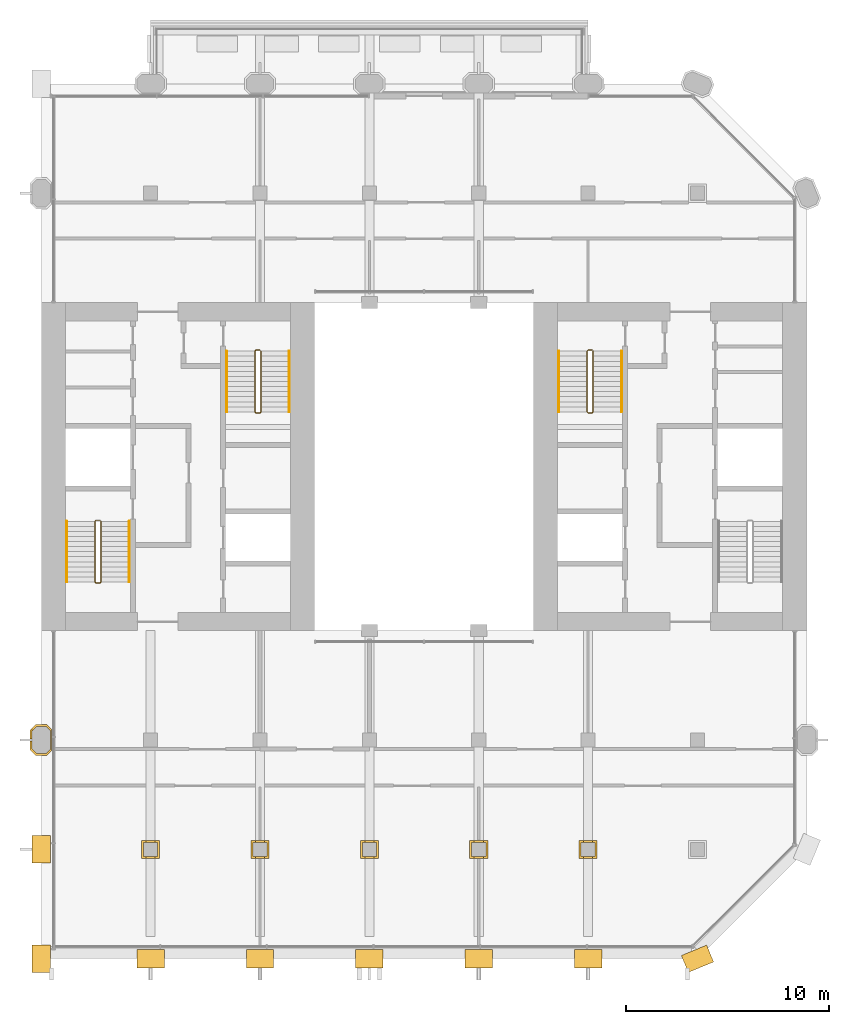
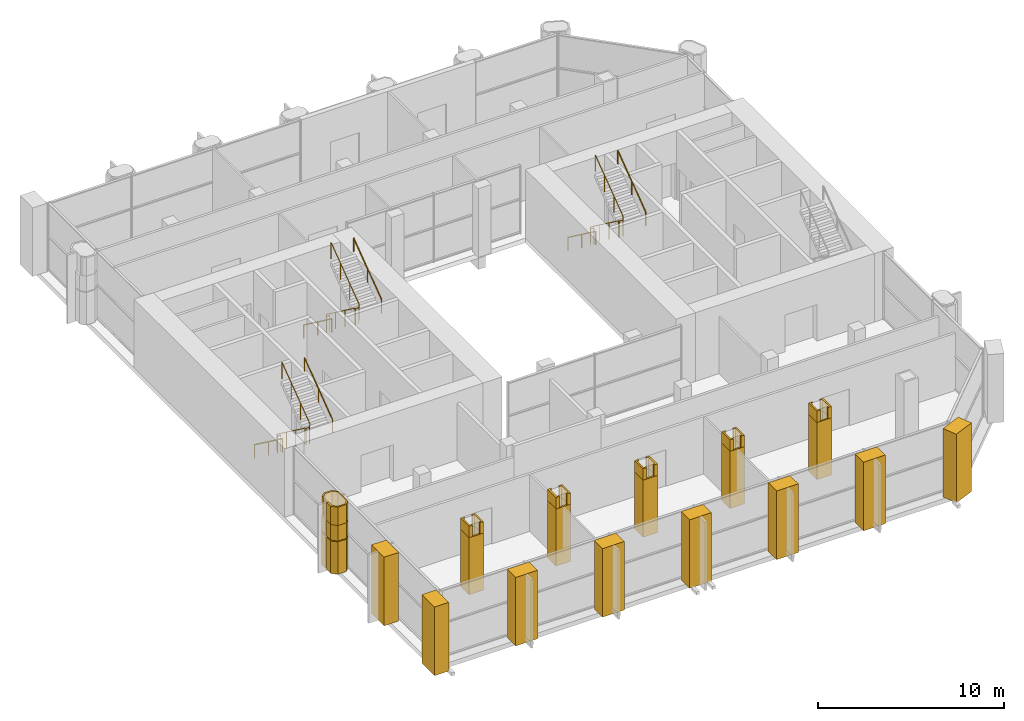
# One storey, part 11 of 13: 26 coverings, 9 railings.
"""IFC4 building model written with IfcOpenShell, lengths in metres."""

from ifc_helpers import new_model, si_unit, direction, frame, frame_2d, origin, origin_2d, place, context, subcontext, project, spatial, polyline, rectangle, circle, outline, extrude, material, layer, layer_set, type_object, element, save


model = new_model("IFC4")

# Units and contexts
model_context = context("Model", 3, precision=1e-05, world=origin(), true_north=direction((0.0, 1.0)))
body_context = subcontext(model_context, "Body", "Model", "MODEL_VIEW")
ifc_project = project(units=[si_unit("LENGTHUNIT", "METRE"), si_unit("AREAUNIT", "SQUARE_METRE"), si_unit("VOLUMEUNIT", "CUBIC_METRE"), si_unit("PLANEANGLEUNIT", "RADIAN"), si_unit("MASSUNIT", "GRAM", prefix="KILO")], contexts=[model_context])

# Site, building, storey
site_placement = place(None, origin())
site = spatial("IfcSite", under=ifc_project, at=site_placement, CompositionType="ELEMENT")
building_placement = place(site_placement, origin())
building = spatial("IfcBuilding", under=site, at=building_placement, Name="Tabaq Tower and Sports Hall", CompositionType="ELEMENT")
storey_placement = place(building_placement, frame((0.0, 0.0, 255.699951171875)))
storey = spatial("IfcBuildingStorey", under=building, at=storey_placement, Name="L62", CompositionType="ELEMENT", Elevation=255.699951171875)

# Coverings
ifc_material_1 = material(Name="Precast concrete C60/75", Category="concrete")
ifc_layer = layer(ifc_material_1, 0.10009765625)
ifc_layer_set = layer_set([ifc_layer], Name="Column cladding 100")
covering_type_1 = type_object("IfcCoveringType", Name="Column cladding 100", PredefinedType="CLADDING", material=ifc_layer_set)
covering_1_placement = place(storey_placement, frame((0.0, 0.0, 0.10009765625)))
element("IfcCovering", 1, at=covering_1_placement, inside=storey, type_object=covering_type_1, Name="Column cladding L62 PC-2C-S2", PredefinedType="CLADDING", context=body_context, shape_type="SweptSolid", body=[
    extrude(outline(polyline([(5.1337890625, 10.025390625), (4.850341796875, 10.30859375), (4.850341796875, 10.73974609375), (4.94970703125, 10.73974609375), (4.94970703125, 10.349853515625), (5.1748046875, 10.124755859375), (5.625244140625, 10.124755859375), (5.850341796875, 10.349853515625), (5.850341796875, 11.250244140625), (5.625244140625, 11.475341796875), (5.1748046875, 11.475341796875), (4.94970703125, 11.250244140625), (4.94970703125, 10.8603515625), (4.850341796875, 10.8603515625), (4.850341796875, 11.291259765625), (5.1337890625, 11.57470703125), (5.666259765625, 11.57470703125), (5.90966796875, 11.331298828125), (5.90966796875, 10.268798828125), (5.666259765625, 10.025390625), (5.1337890625, 10.025390625)])), origin(), (0.0, 0.0, 1.0), 2.119873046875),
])
covering_2_placement = place(storey_placement, frame((0.0, 0.0, 2.280029296875)))
element("IfcCovering", 2, at=covering_2_placement, inside=storey, type_object=covering_type_1, Name="Column cladding L62 PC-2C-S2 2", PredefinedType="CLADDING", context=body_context, shape_type="SweptSolid", body=[
    extrude(outline(polyline([(5.1337890625, 10.025390625), (4.850341796875, 10.30859375), (4.850341796875, 10.73974609375), (4.94970703125, 10.73974609375), (4.94970703125, 10.349853515625), (5.1748046875, 10.124755859375), (5.625244140625, 10.124755859375), (5.850341796875, 10.349853515625), (5.850341796875, 11.250244140625), (5.625244140625, 11.475341796875), (5.1748046875, 11.475341796875), (4.94970703125, 11.250244140625), (4.94970703125, 10.8603515625), (4.850341796875, 10.8603515625), (4.850341796875, 11.291259765625), (5.1337890625, 11.57470703125), (5.666259765625, 11.57470703125), (5.90966796875, 11.331298828125), (5.90966796875, 10.268798828125), (5.666259765625, 10.025390625), (5.1337890625, 10.025390625)])), origin(), (0.0, 0.0, 1.0), 1.02001953125),
])
covering_3_placement = place(storey_placement, frame((0.0, 0.0, 3.300048828125)))
element("IfcCovering", 3, at=covering_3_placement, inside=storey, type_object=covering_type_1, Name="Column cladding L62 PC-2C-S2 head", PredefinedType="CLADDING", context=body_context, shape_type="SweptSolid", body=[
    extrude(outline(polyline([(4.850341796875, 10.30859375), (4.850341796875, 10.73974609375), (4.94970703125, 10.73974609375), (4.94970703125, 10.349853515625), (5.1748046875, 10.124755859375), (5.625244140625, 10.124755859375), (5.850341796875, 10.349853515625), (5.850341796875, 11.250244140625), (5.625244140625, 11.475341796875), (5.1748046875, 11.475341796875), (4.9501953125, 11.250732421875), (4.9501953125, 11.391357421875), (5.1337890625, 11.57470703125), (5.666259765625, 11.57470703125), (5.90966796875, 11.331298828125), (5.90966796875, 10.268798828125), (5.666259765625, 10.025390625), (5.1337890625, 10.025390625), (4.850341796875, 10.30859375)])), origin(), (0.0, 0.0, 1.0), 1.199951171875),
])
covering_4_placement = place(storey_placement, origin())
element("IfcCovering", 4, at=covering_4_placement, inside=storey, type_object=covering_type_1, Name="Column cladding L62 CC-3B-S2", PredefinedType="CLADDING", context=body_context, shape_type="SweptSolid", body=[
    extrude(outline(polyline([(10.350341796875, 5.849609375), (11.249755859375, 5.849609375), (11.249755859375, 4.9501953125), (10.350341796875, 4.9501953125), (10.350341796875, 5.849609375)]), holes=[polyline([(11.150390625, 5.0498046875), (11.150390625, 5.750244140625), (10.44970703125, 5.750244140625), (10.44970703125, 5.0498046875), (11.150390625, 5.0498046875)])]), origin(), (0.0, 0.0, 1.0), 3.75),
])
covering_5_placement = place(storey_placement, frame((0.0, 0.0, 3.75)))
element("IfcCovering", 5, at=covering_5_placement, inside=storey, type_object=covering_type_1, Name="Column cladding L62 CC-3B-S2 head", PredefinedType="CLADDING", context=body_context, shape_type="SweptSolid", body=[
    extrude(outline(polyline([(10.574462890625, 5.04931640625), (10.574462890625, 4.95068359375), (10.3505859375, 4.95068359375), (10.3505859375, 5.849365234375), (10.574462890625, 5.849365234375), (10.574462890625, 5.75048828125), (10.449462890625, 5.75048828125), (10.449462890625, 5.04931640625), (10.574462890625, 5.04931640625)])), origin(), (0.0, 0.0, 1.0), 0.75),
])
covering_6_placement = place(storey_placement, frame((0.0, 0.0, 3.75)))
element("IfcCovering", 6, at=covering_6_placement, inside=storey, type_object=covering_type_1, Name="Column cladding L62 CC-3B-S2 head 2", PredefinedType="CLADDING", context=body_context, shape_type="SweptSolid", body=[
    extrude(outline(polyline([(11.025634765625, 5.04931640625), (11.150634765625, 5.04931640625), (11.150634765625, 5.75048828125), (11.025634765625, 5.75048828125), (11.025634765625, 5.849365234375), (11.24951171875, 5.849365234375), (11.24951171875, 4.95068359375), (11.025634765625, 4.95068359375), (11.025634765625, 5.04931640625)])), origin(), (0.0, 0.0, 1.0), 0.75),
])
covering_7_placement = place(storey_placement, origin())
element("IfcCovering", 7, at=covering_7_placement, inside=storey, type_object=covering_type_1, Name="Column cladding L62 CC-4B-S2", PredefinedType="CLADDING", context=body_context, shape_type="SweptSolid", body=[
    extrude(outline(polyline([(15.750244140625, 5.849609375), (16.649658203125, 5.849609375), (16.649658203125, 4.9501953125), (15.750244140625, 4.9501953125), (15.750244140625, 5.849609375)]), holes=[polyline([(16.55029296875, 5.0498046875), (16.55029296875, 5.750244140625), (15.849609375, 5.750244140625), (15.849609375, 5.0498046875), (16.55029296875, 5.0498046875)])]), origin(), (0.0, 0.0, 1.0), 3.75),
])
covering_8_placement = place(storey_placement, frame((0.0, 0.0, 3.75)))
element("IfcCovering", 8, at=covering_8_placement, inside=storey, type_object=covering_type_1, Name="Column cladding L62 CC-4B-S2 head", PredefinedType="CLADDING", context=body_context, shape_type="SweptSolid", body=[
    extrude(outline(polyline([(16.425537109375, 5.04931640625), (16.550537109375, 5.04931640625), (16.550537109375, 5.75048828125), (16.425537109375, 5.75048828125), (16.425537109375, 5.849365234375), (16.6494140625, 5.849365234375), (16.6494140625, 4.95068359375), (16.425537109375, 4.95068359375), (16.425537109375, 5.04931640625)])), origin(), (0.0, 0.0, 1.0), 0.75),
])
covering_9_placement = place(storey_placement, frame((0.0, 0.0, 3.75)))
element("IfcCovering", 9, at=covering_9_placement, inside=storey, type_object=covering_type_1, Name="Column cladding L62 CC-4B-S2 head 2", PredefinedType="CLADDING", context=body_context, shape_type="SweptSolid", body=[
    extrude(outline(polyline([(15.974365234375, 5.04931640625), (15.974365234375, 4.95068359375), (15.75048828125, 4.95068359375), (15.75048828125, 5.849365234375), (15.974365234375, 5.849365234375), (15.974365234375, 5.75048828125), (15.849365234375, 5.75048828125), (15.849365234375, 5.04931640625), (15.974365234375, 5.04931640625)])), origin(), (0.0, 0.0, 1.0), 0.75),
])
covering_10_placement = place(storey_placement, origin())
element("IfcCovering", 10, at=covering_10_placement, inside=storey, type_object=covering_type_1, Name="Column cladding L62 CC-5B-S2", PredefinedType="CLADDING", context=body_context, shape_type="SweptSolid", body=[
    extrude(outline(polyline([(21.150390625, 5.849609375), (22.0498046875, 5.849609375), (22.0498046875, 4.9501953125), (21.150390625, 4.9501953125), (21.150390625, 5.849609375)]), holes=[polyline([(21.9501953125, 5.0498046875), (21.9501953125, 5.750244140625), (21.249755859375, 5.750244140625), (21.249755859375, 5.0498046875), (21.9501953125, 5.0498046875)])]), origin(), (0.0, 0.0, 1.0), 3.75),
])
covering_11_placement = place(storey_placement, frame((0.0, 0.0, 3.75)))
element("IfcCovering", 11, at=covering_11_placement, inside=storey, type_object=covering_type_1, Name="Column cladding L62 CC-5B-S2 head", PredefinedType="CLADDING", context=body_context, shape_type="SweptSolid", body=[
    extrude(outline(polyline([(21.37451171875, 5.04931640625), (21.37451171875, 4.95068359375), (21.150634765625, 4.95068359375), (21.150634765625, 5.849365234375), (21.37451171875, 5.849365234375), (21.37451171875, 5.75048828125), (21.24951171875, 5.75048828125), (21.24951171875, 5.04931640625), (21.37451171875, 5.04931640625)])), origin(), (0.0, 0.0, 1.0), 0.75),
])
covering_12_placement = place(storey_placement, frame((0.0, 0.0, 3.75)))
element("IfcCovering", 12, at=covering_12_placement, inside=storey, type_object=covering_type_1, Name="Column cladding L62 CC-5B-S2 head 2", PredefinedType="CLADDING", context=body_context, shape_type="SweptSolid", body=[
    extrude(outline(polyline([(21.82568359375, 5.04931640625), (21.95068359375, 5.04931640625), (21.95068359375, 5.75048828125), (21.82568359375, 5.75048828125), (21.82568359375, 5.849365234375), (22.04931640625, 5.849365234375), (22.04931640625, 4.95068359375), (21.82568359375, 4.95068359375), (21.82568359375, 5.04931640625)])), origin(), (0.0, 0.0, 1.0), 0.75),
])
covering_13_placement = place(storey_placement, origin())
element("IfcCovering", 13, at=covering_13_placement, inside=storey, type_object=covering_type_1, Name="Column cladding L62 CC-6B-S2", PredefinedType="CLADDING", context=body_context, shape_type="SweptSolid", body=[
    extrude(outline(polyline([(26.55029296875, 5.849609375), (27.44970703125, 5.849609375), (27.44970703125, 4.9501953125), (26.55029296875, 4.9501953125), (26.55029296875, 5.849609375)]), holes=[polyline([(27.350341796875, 5.0498046875), (27.350341796875, 5.750244140625), (26.649658203125, 5.750244140625), (26.649658203125, 5.0498046875), (27.350341796875, 5.0498046875)])]), origin(), (0.0, 0.0, 1.0), 3.75),
])
covering_14_placement = place(storey_placement, frame((0.0, 0.0, 3.75)))
element("IfcCovering", 14, at=covering_14_placement, inside=storey, type_object=covering_type_1, Name="Column cladding L62 CC-6B-S2 head", PredefinedType="CLADDING", context=body_context, shape_type="SweptSolid", body=[
    extrude(outline(polyline([(26.7744140625, 5.04931640625), (26.7744140625, 4.95068359375), (26.550537109375, 4.95068359375), (26.550537109375, 5.849365234375), (26.7744140625, 5.849365234375), (26.7744140625, 5.75048828125), (26.6494140625, 5.75048828125), (26.6494140625, 5.04931640625), (26.7744140625, 5.04931640625)])), origin(), (0.0, 0.0, 1.0), 0.75),
])
covering_15_placement = place(storey_placement, frame((0.0, 0.0, 3.75)))
element("IfcCovering", 15, at=covering_15_placement, inside=storey, type_object=covering_type_1, Name="Column cladding L62 CC-6B-S2 head 2", PredefinedType="CLADDING", context=body_context, shape_type="SweptSolid", body=[
    extrude(outline(polyline([(27.2255859375, 5.04931640625), (27.3505859375, 5.04931640625), (27.3505859375, 5.75048828125), (27.2255859375, 5.75048828125), (27.2255859375, 5.849365234375), (27.449462890625, 5.849365234375), (27.449462890625, 4.95068359375), (27.2255859375, 4.95068359375), (27.2255859375, 5.04931640625)])), origin(), (0.0, 0.0, 1.0), 0.75),
])
covering_16_placement = place(storey_placement, origin())
element("IfcCovering", 16, at=covering_16_placement, inside=storey, type_object=covering_type_1, Name="Column cladding L62 CC-7B-S2", PredefinedType="CLADDING", context=body_context, shape_type="SweptSolid", body=[
    extrude(outline(polyline([(31.9501953125, 5.849609375), (32.849609375, 5.849609375), (32.849609375, 4.9501953125), (31.9501953125, 4.9501953125), (31.9501953125, 5.849609375)]), holes=[polyline([(32.750244140625, 5.0498046875), (32.750244140625, 5.750244140625), (32.0498046875, 5.750244140625), (32.0498046875, 5.0498046875), (32.750244140625, 5.0498046875)])]), origin(), (0.0, 0.0, 1.0), 3.75),
])
covering_17_placement = place(storey_placement, frame((0.0, 0.0, 3.75)))
element("IfcCovering", 17, at=covering_17_placement, inside=storey, type_object=covering_type_1, Name="Column cladding L62 CC-7B-S2 head", PredefinedType="CLADDING", context=body_context, shape_type="SweptSolid", body=[
    extrude(outline(polyline([(32.62548828125, 5.04931640625), (32.75048828125, 5.04931640625), (32.75048828125, 5.75048828125), (32.62548828125, 5.75048828125), (32.62548828125, 5.849365234375), (32.849365234375, 5.849365234375), (32.849365234375, 4.95068359375), (32.62548828125, 4.95068359375), (32.62548828125, 5.04931640625)])), origin(), (0.0, 0.0, 1.0), 0.75),
])
covering_18_placement = place(storey_placement, frame((0.0, 0.0, 3.75)))
element("IfcCovering", 18, at=covering_18_placement, inside=storey, type_object=covering_type_1, Name="Column cladding L62 CC-7B-S2 head 2", PredefinedType="CLADDING", context=body_context, shape_type="SweptSolid", body=[
    extrude(outline(polyline([(32.17431640625, 5.04931640625), (32.17431640625, 4.95068359375), (31.95068359375, 4.95068359375), (31.95068359375, 5.849365234375), (32.17431640625, 5.849365234375), (32.17431640625, 5.75048828125), (32.04931640625, 5.75048828125), (32.04931640625, 5.04931640625), (32.17431640625, 5.04931640625)])), origin(), (0.0, 0.0, 1.0), 0.75),
])
ifc_material_2 = material(Name="White precast concrete C60/75", Category="concrete")
covering_type_2 = type_object("IfcCoveringType", Name="Pier cladding hung 1350x900", PredefinedType="CLADDING", material=ifc_material_2)
covering_19_placement = place(storey_placement, frame((5.39990234375, 0.675048828125, 0.0), z_axis=(0.0, 0.0, 1.0), x_axis=(0.0, -1.0, 0.0)))
element("IfcCovering", 19, at=covering_19_placement, inside=storey, type_object=covering_type_2, Name="Hung pier cladding 1/0", PredefinedType="CLADDING", context=body_context, shape_type="SweptSolid", body=[
    extrude(rectangle(XDim=1.35009765625, YDim=0.89990234375, at=frame_2d((0.675048828125, 0.0))), origin(), (0.0, 0.0, 1.0), 4.5),
])
covering_20_placement = place(storey_placement, frame((5.39990234375, 6.074951171875, 0.0), z_axis=(0.0, 0.0, 1.0), x_axis=(0.0, -1.0, 0.0)))
element("IfcCovering", 20, at=covering_20_placement, inside=storey, type_object=covering_type_2, Name="Hung pier cladding 1/1", PredefinedType="CLADDING", context=body_context, shape_type="SweptSolid", body=[
    extrude(rectangle(XDim=1.349853515625, YDim=0.89990234375, at=frame_2d((0.6748046875, 0.0))), origin(), (0.0, 0.0, 1.0), 4.5),
])
for number, where, z_axis, x_axis, name in (
    (21, (10.125, 0.0, 0.0), (0.0, 0.0, 1.0), (1.0, 0.0, 0.0), "Hung pier cladding 2/0"),
    (22, (15.52490234375, 0.0, 0.0), (0.0, 0.0, 1.0), (1.0, 0.0, 0.0), "Hung pier cladding 3/0"),
):
    element("IfcCovering", number, at=place(storey_placement, frame(where, z_axis=z_axis, x_axis=x_axis)), inside=storey, type_object=covering_type_2, Name=name, PredefinedType="CLADDING", context=body_context, shape_type="SweptSolid", body=[
        extrude(rectangle(XDim=1.35009765625, YDim=0.89990234375, at=frame_2d((0.675048828125, 0.0))), origin(), (0.0, 0.0, 1.0), 4.5),
    ])
covering_21_placement = place(storey_placement, frame((20.925048828125, 0.0, 0.0), z_axis=(0.0, 0.0, 1.0), x_axis=(1.0, 0.0, 0.0)))
element("IfcCovering", 23, at=covering_21_placement, inside=storey, type_object=covering_type_2, Name="Hung pier cladding 4/0", PredefinedType="CLADDING", context=body_context, shape_type="SweptSolid", body=[
    extrude(rectangle(XDim=1.349853515625, YDim=0.89990234375, at=frame_2d((0.6748046875, 0.0))), origin(), (0.0, 0.0, 1.0), 4.5),
])
covering_22_placement = place(storey_placement, frame((26.324951171875, 0.0, 0.0), z_axis=(0.0, 0.0, 1.0), x_axis=(1.0, 0.0, 0.0)))
element("IfcCovering", 24, at=covering_22_placement, inside=storey, type_object=covering_type_2, Name="Hung pier cladding 5/0", PredefinedType="CLADDING", context=body_context, shape_type="SweptSolid", body=[
    extrude(rectangle(XDim=1.35009765625, YDim=0.89990234375, at=frame_2d((0.675048828125, 0.0))), origin(), (0.0, 0.0, 1.0), 4.5),
])
covering_23_placement = place(storey_placement, frame((31.72509765625, 0.0, 0.0), z_axis=(0.0, 0.0, 1.0), x_axis=(1.0, 0.0, 0.0)))
element("IfcCovering", 25, at=covering_23_placement, inside=storey, type_object=covering_type_2, Name="Hung pier cladding 6/0", PredefinedType="CLADDING", context=body_context, shape_type="SweptSolid", body=[
    extrude(rectangle(XDim=1.349853515625, YDim=0.89990234375, at=frame_2d((0.6748046875, 0.0))), origin(), (0.0, 0.0, 1.0), 4.5),
])
covering_24_placement = place(storey_placement, frame((37.17626953125, -0.25830078125, 0.0), z_axis=(0.0, 0.0, 1.0), x_axis=(0.923893411637, 0.382649923473, 0.0)))
element("IfcCovering", 26, at=covering_24_placement, inside=storey, type_object=covering_type_2, Name="Hung pier cladding 7/0", PredefinedType="CLADDING", context=body_context, shape_type="SweptSolid", body=[
    extrude(rectangle(XDim=1.35009765625, YDim=0.89990234375, at=frame_2d((0.675048828125, 0.0))), origin(), (0.0, 0.0, 1.0), 4.5),
])

# Railings
ifc_material_3 = material(Name="Stainless steel", Category="steel")
railing_type_1 = type_object("IfcRailingType", Name="Stair guard", PredefinedType="GUARDRAIL", material=ifc_material_3)
railing_1_placement = place(storey_placement, frame((8.300048828125, 21.64990234375, 0.0)))
element("IfcRailing", 27, at=railing_1_placement, inside=storey, type_object=railing_type_1, Name="L62 ST1 stair guard 1", PredefinedType="GUARDRAIL", context=body_context, shape_type="SweptSolid", body=[
    extrude(circle(Radius=0.02392578125, at=origin_2d()), frame((0.0, 0.0, 1.076171875), z_axis=(-1.0, 0.0, 0.0), x_axis=(0.0, -1.0, 0.0)), (0.0, 0.0, 1.0), 0.199951171875),
    extrude(circle(Radius=0.02392578125, at=origin_2d()), frame((-0.199951171875, 0.0, 1.076171875), z_axis=(-0.253264628505, -0.252029191293, 0.933990532438), x_axis=(0.705375805398, -0.708833529934, 0.0)), (0.0, 0.0, 1.0), 0.197509765625),
    extrude(circle(Radius=0.02392578125, at=origin_2d()), frame((-0.25, -0.0498046875, 1.2607421875), z_axis=(0.0, -0.804408721428, 0.594076265214), x_axis=(1.0, 0.0, 0.0)), (0.0, 0.0, 1.0), 3.7294921875),
    extrude(circle(Radius=0.02392578125, at=origin_2d()), frame((-0.25, -3.0498046875, 3.47607421875), z_axis=(0.707106781187, -0.707106781187, 0.0), x_axis=(0.707106781187, 0.707106781187, 0.0)), (0.0, 0.0, 1.0), 0.07080078125),
    extrude(circle(Radius=0.02392578125, at=origin_2d()), frame((-0.199951171875, -3.099853515625, 3.47607421875), z_axis=(1.0, 0.0, 0.0), x_axis=(0.0, 1.0, 0.0)), (0.0, 0.0, 1.0), 0.199951171875),
    extrude(circle(Radius=0.02392578125, at=origin_2d()), frame((0.0, -3.099853515625, 3.47607421875), z_axis=(0.253185614162, 0.253185614162, 0.933699142959), x_axis=(-0.707106781187, 0.707106781187, 0.0)), (0.0, 0.0, 1.0), 0.19775390625),
    extrude(circle(Radius=0.02392578125, at=origin_2d()), frame((0.050048828125, -3.0498046875, 3.66064453125), z_axis=(0.0, 0.804440004972, 0.594033903411), x_axis=(-1.0, 0.0, 0.0)), (0.0, 0.0, 1.0), 3.729248046875),
    extrude(circle(Radius=0.02099609375, at=origin_2d()), origin(), (0.0, 0.0, 1.0), 1.052001953125),
    extrude(circle(Radius=0.02099609375, at=origin_2d()), frame((-0.199951171875, 0.0, 0.0)), (0.0, 0.0, 1.0), 1.052001953125),
    extrude(circle(Radius=0.02099609375, at=origin_2d()), frame((-0.25, -0.0498046875, 0.1845703125)), (0.0, 0.0, 1.0), 1.052001953125),
    extrude(circle(Radius=0.02099609375, at=origin_2d()), frame((-0.25, -1.0498046875, 0.923095703125)), (0.0, 0.0, 1.0), 1.052001953125),
    extrude(circle(Radius=0.02099609375, at=origin_2d()), frame((-0.25, -2.0498046875, 1.66162109375)), (0.0, 0.0, 1.0), 1.052001953125),
    extrude(circle(Radius=0.02099609375, at=origin_2d()), frame((-0.25, -3.0498046875, 2.400146484375)), (0.0, 0.0, 1.0), 1.052001953125),
    extrude(circle(Radius=0.02099609375, at=origin_2d()), frame((-0.199951171875, -3.099853515625, 2.400146484375)), (0.0, 0.0, 1.0), 1.052001953125),
    extrude(circle(Radius=0.02099609375, at=origin_2d()), frame((0.0, -3.099853515625, 2.400146484375)), (0.0, 0.0, 1.0), 1.052001953125),
    extrude(circle(Radius=0.02099609375, at=origin_2d()), frame((0.050048828125, -3.0498046875, 2.584716796875)), (0.0, 0.0, 1.0), 1.052001953125),
    extrude(circle(Radius=0.02099609375, at=origin_2d()), frame((0.050048828125, -2.0498046875, 3.3232421875)), (0.0, 0.0, 1.0), 1.052001953125),
    extrude(circle(Radius=0.02099609375, at=origin_2d()), frame((0.050048828125, -1.0498046875, 4.0615234375)), (0.0, 0.0, 1.0), 1.052001953125),
    extrude(circle(Radius=0.02099609375, at=origin_2d()), frame((0.050048828125, -0.0498046875, 4.800048828125)), (0.0, 0.0, 1.0), 1.052001953125),
])
railing_2_placement = place(storey_placement, frame((16.199951171875, 30.050048828125, 0.0)))
element("IfcRailing", 28, at=railing_2_placement, inside=storey, type_object=railing_type_1, Name="L62 ST2 stair guard 1", PredefinedType="GUARDRAIL", context=body_context, shape_type="SweptSolid", body=[
    extrude(circle(Radius=0.02392578125, at=origin_2d()), frame((0.0, 0.0, 1.076171875), z_axis=(-1.0, 0.0, 0.0), x_axis=(0.0, -1.0, 0.0)), (0.0, 0.0, 1.0), 0.199951171875),
    extrude(circle(Radius=0.02392578125, at=origin_2d()), frame((-0.199951171875, 0.0, 1.076171875), z_axis=(-0.253185614162, -0.253185614162, 0.933699142959), x_axis=(0.707106781187, -0.707106781187, 0.0)), (0.0, 0.0, 1.0), 0.19775390625),
    extrude(circle(Radius=0.02392578125, at=origin_2d()), frame((-0.25, -0.050048828125, 1.2607421875), z_axis=(0.0, -0.804408721428, 0.594076265214), x_axis=(1.0, 0.0, 0.0)), (0.0, 0.0, 1.0), 3.7294921875),
    extrude(circle(Radius=0.02392578125, at=origin_2d()), frame((-0.25, -3.050048828125, 3.47607421875), z_axis=(0.707106781187, -0.707106781187, 0.0), x_axis=(0.707106781187, 0.707106781187, 0.0)), (0.0, 0.0, 1.0), 0.07080078125),
    extrude(circle(Radius=0.02392578125, at=origin_2d()), frame((-0.199951171875, -3.10009765625, 3.47607421875), z_axis=(1.0, 0.0, 0.0), x_axis=(0.0, 1.0, 0.0)), (0.0, 0.0, 1.0), 0.199951171875),
    extrude(circle(Radius=0.02392578125, at=origin_2d()), frame((0.0, -3.10009765625, 3.47607421875), z_axis=(0.253185614162, 0.253185614162, 0.933699142959), x_axis=(-0.707106781187, 0.707106781187, 0.0)), (0.0, 0.0, 1.0), 0.19775390625),
    extrude(circle(Radius=0.02392578125, at=origin_2d()), frame((0.050048828125, -3.050048828125, 3.66064453125), z_axis=(0.0, 0.804440004972, 0.594033903411), x_axis=(-1.0, 0.0, 0.0)), (0.0, 0.0, 1.0), 3.729248046875),
    extrude(circle(Radius=0.02099609375, at=origin_2d()), origin(), (0.0, 0.0, 1.0), 1.052001953125),
    extrude(circle(Radius=0.02099609375, at=origin_2d()), frame((-0.199951171875, 0.0, 0.0)), (0.0, 0.0, 1.0), 1.052001953125),
    extrude(circle(Radius=0.02099609375, at=origin_2d()), frame((-0.25, -0.050048828125, 0.1845703125)), (0.0, 0.0, 1.0), 1.052001953125),
    extrude(circle(Radius=0.02099609375, at=origin_2d()), frame((-0.25, -1.050048828125, 0.923095703125)), (0.0, 0.0, 1.0), 1.052001953125),
    extrude(circle(Radius=0.02099609375, at=origin_2d()), frame((-0.25, -2.050048828125, 1.66162109375)), (0.0, 0.0, 1.0), 1.052001953125),
    extrude(circle(Radius=0.02099609375, at=origin_2d()), frame((-0.25, -3.050048828125, 2.400146484375)), (0.0, 0.0, 1.0), 1.052001953125),
    extrude(circle(Radius=0.02099609375, at=origin_2d()), frame((-0.199951171875, -3.10009765625, 2.400146484375)), (0.0, 0.0, 1.0), 1.052001953125),
    extrude(circle(Radius=0.02099609375, at=origin_2d()), frame((0.0, -3.10009765625, 2.400146484375)), (0.0, 0.0, 1.0), 1.052001953125),
    extrude(circle(Radius=0.02099609375, at=origin_2d()), frame((0.050048828125, -3.050048828125, 2.584716796875)), (0.0, 0.0, 1.0), 1.052001953125),
    extrude(circle(Radius=0.02099609375, at=origin_2d()), frame((0.050048828125, -2.050048828125, 3.3232421875)), (0.0, 0.0, 1.0), 1.052001953125),
    extrude(circle(Radius=0.02099609375, at=origin_2d()), frame((0.050048828125, -1.050048828125, 4.0615234375)), (0.0, 0.0, 1.0), 1.052001953125),
    extrude(circle(Radius=0.02099609375, at=origin_2d()), frame((0.050048828125, -0.050048828125, 4.800048828125)), (0.0, 0.0, 1.0), 1.052001953125),
])
railing_3_placement = place(storey_placement, frame((32.60009765625, 30.050048828125, 0.0)))
element("IfcRailing", 29, at=railing_3_placement, inside=storey, type_object=railing_type_1, Name="L62 ST4 stair guard 1", PredefinedType="GUARDRAIL", context=body_context, shape_type="SweptSolid", body=[
    extrude(circle(Radius=0.02392578125, at=origin_2d()), frame((0.0, 0.0, 1.076171875), z_axis=(-1.0, 0.0, 0.0), x_axis=(0.0, -1.0, 0.0)), (0.0, 0.0, 1.0), 0.2001953125),
    extrude(circle(Radius=0.02392578125, at=origin_2d()), frame((-0.2001953125, 0.0, 1.076171875), z_axis=(-0.252029191293, -0.253264628505, 0.933990532438), x_axis=(0.708833529934, -0.705375805398, 0.0)), (0.0, 0.0, 1.0), 0.197509765625),
    extrude(circle(Radius=0.02392578125, at=origin_2d()), frame((-0.25, -0.050048828125, 1.2607421875), z_axis=(0.0, -0.804408721428, 0.594076265214), x_axis=(1.0, 0.0, 0.0)), (0.0, 0.0, 1.0), 3.7294921875),
    extrude(circle(Radius=0.02392578125, at=origin_2d()), frame((-0.25, -3.050048828125, 3.47607421875), z_axis=(0.705375805398, -0.708833529934, 0.0), x_axis=(0.708833529934, 0.705375805398, 0.0)), (0.0, 0.0, 1.0), 0.070556640625),
    extrude(circle(Radius=0.02392578125, at=origin_2d()), frame((-0.2001953125, -3.10009765625, 3.47607421875), z_axis=(1.0, 0.0, 0.0), x_axis=(0.0, 1.0, 0.0)), (0.0, 0.0, 1.0), 0.2001953125),
    extrude(circle(Radius=0.02392578125, at=origin_2d()), frame((0.0, -3.10009765625, 3.47607421875), z_axis=(0.252029191293, 0.253264628505, 0.933990532438), x_axis=(-0.708833529934, 0.705375805398, 0.0)), (0.0, 0.0, 1.0), 0.197509765625),
    extrude(circle(Radius=0.02392578125, at=origin_2d()), frame((0.0498046875, -3.050048828125, 3.66064453125), z_axis=(0.0, 0.804440004972, 0.594033903411), x_axis=(-1.0, 0.0, 0.0)), (0.0, 0.0, 1.0), 3.729248046875),
    extrude(circle(Radius=0.02099609375, at=origin_2d()), origin(), (0.0, 0.0, 1.0), 1.052001953125),
    extrude(circle(Radius=0.02099609375, at=origin_2d()), frame((-0.2001953125, 0.0, 0.0)), (0.0, 0.0, 1.0), 1.052001953125),
    extrude(circle(Radius=0.02099609375, at=origin_2d()), frame((-0.25, -0.050048828125, 0.1845703125)), (0.0, 0.0, 1.0), 1.052001953125),
    extrude(circle(Radius=0.02099609375, at=origin_2d()), frame((-0.25, -1.050048828125, 0.923095703125)), (0.0, 0.0, 1.0), 1.052001953125),
    extrude(circle(Radius=0.02099609375, at=origin_2d()), frame((-0.25, -2.050048828125, 1.66162109375)), (0.0, 0.0, 1.0), 1.052001953125),
    extrude(circle(Radius=0.02099609375, at=origin_2d()), frame((-0.25, -3.050048828125, 2.400146484375)), (0.0, 0.0, 1.0), 1.052001953125),
    extrude(circle(Radius=0.02099609375, at=origin_2d()), frame((-0.2001953125, -3.10009765625, 2.400146484375)), (0.0, 0.0, 1.0), 1.052001953125),
    extrude(circle(Radius=0.02099609375, at=origin_2d()), frame((0.0, -3.10009765625, 2.400146484375)), (0.0, 0.0, 1.0), 1.052001953125),
    extrude(circle(Radius=0.02099609375, at=origin_2d()), frame((0.0498046875, -3.050048828125, 2.584716796875)), (0.0, 0.0, 1.0), 1.052001953125),
    extrude(circle(Radius=0.02099609375, at=origin_2d()), frame((0.0498046875, -2.050048828125, 3.3232421875)), (0.0, 0.0, 1.0), 1.052001953125),
    extrude(circle(Radius=0.02099609375, at=origin_2d()), frame((0.0498046875, -1.050048828125, 4.0615234375)), (0.0, 0.0, 1.0), 1.052001953125),
    extrude(circle(Radius=0.02099609375, at=origin_2d()), frame((0.0498046875, -0.050048828125, 4.800048828125)), (0.0, 0.0, 1.0), 1.052001953125),
])
ifc_material_4 = material(Name="Stainless steel", Category="steel")
railing_type_2 = type_object("IfcRailingType", Name="Stair handrail", PredefinedType="HANDRAIL", material=ifc_material_4)
railing_4_placement = place(storey_placement, frame((6.64990234375, 21.60009765625, 0.1845703125)))
element("IfcRailing", 30, at=railing_4_placement, inside=storey, type_object=railing_type_2, Name="L62 ST1 stair handrail 1", PredefinedType="HANDRAIL", context=body_context, shape_type="SweptSolid", body=[
    extrude(circle(Radius=0.02392578125, at=origin_2d()), frame((0.0, 0.0, 0.8759765625), z_axis=(0.0, -0.804408721428, 0.594076265214), x_axis=(1.0, 0.0, 0.0)), (0.0, 0.0, 1.0), 3.7294921875),
    extrude(circle(Radius=0.02099609375, at=origin_2d()), origin(), (0.0, 0.0, 1.0), 0.851806640625),
    extrude(circle(Radius=0.02099609375, at=origin_2d()), frame((0.0, -1.5, 1.10791015625)), (0.0, 0.0, 1.0), 0.851806640625),
    extrude(circle(Radius=0.02099609375, at=origin_2d()), frame((0.0, -3.0, 2.215576171875)), (0.0, 0.0, 1.0), 0.851806640625),
])
railing_5_placement = place(storey_placement, frame((9.75, 18.60009765625, 2.584716796875)))
element("IfcRailing", 31, at=railing_5_placement, inside=storey, type_object=railing_type_2, Name="L62 ST1 stair handrail 2", PredefinedType="HANDRAIL", context=body_context, shape_type="SweptSolid", body=[
    extrude(circle(Radius=0.02392578125, at=origin_2d()), frame((0.0, 0.0, 0.8759765625), z_axis=(0.0, 0.804440004972, 0.594033903411), x_axis=(-1.0, 0.0, 0.0)), (0.0, 0.0, 1.0), 3.729248046875),
    extrude(circle(Radius=0.02099609375, at=origin_2d()), origin(), (0.0, 0.0, 1.0), 0.851806640625),
    extrude(circle(Radius=0.02099609375, at=origin_2d()), frame((0.0, 1.5, 1.107666015625)), (0.0, 0.0, 1.0), 0.851806640625),
    extrude(circle(Radius=0.02099609375, at=origin_2d()), frame((0.0, 3.0, 2.21533203125)), (0.0, 0.0, 1.0), 0.851806640625),
])
railing_6_placement = place(storey_placement, frame((14.550048828125, 30.0, 0.1845703125)))
element("IfcRailing", 32, at=railing_6_placement, inside=storey, type_object=railing_type_2, Name="L62 ST2 stair handrail 1", PredefinedType="HANDRAIL", context=body_context, shape_type="SweptSolid", body=[
    extrude(circle(Radius=0.02392578125, at=origin_2d()), frame((0.0, 0.0, 0.8759765625), z_axis=(0.0, -0.804408721428, 0.594076265214), x_axis=(1.0, 0.0, 0.0)), (0.0, 0.0, 1.0), 3.7294921875),
    extrude(circle(Radius=0.02099609375, at=origin_2d()), origin(), (0.0, 0.0, 1.0), 0.851806640625),
    extrude(circle(Radius=0.02099609375, at=origin_2d()), frame((0.0, -1.5, 1.10791015625)), (0.0, 0.0, 1.0), 0.851806640625),
    extrude(circle(Radius=0.02099609375, at=origin_2d()), frame((0.0, -3.0, 2.215576171875)), (0.0, 0.0, 1.0), 0.851806640625),
])
railing_7_placement = place(storey_placement, frame((17.64990234375, 27.0, 2.584716796875)))
element("IfcRailing", 33, at=railing_7_placement, inside=storey, type_object=railing_type_2, Name="L62 ST2 stair handrail 2", PredefinedType="HANDRAIL", context=body_context, shape_type="SweptSolid", body=[
    extrude(circle(Radius=0.02392578125, at=origin_2d()), frame((0.0, 0.0, 0.8759765625), z_axis=(0.0, 0.804440004972, 0.594033903411), x_axis=(-1.0, 0.0, 0.0)), (0.0, 0.0, 1.0), 3.729248046875),
    extrude(circle(Radius=0.02099609375, at=origin_2d()), origin(), (0.0, 0.0, 1.0), 0.851806640625),
    extrude(circle(Radius=0.02099609375, at=origin_2d()), frame((0.0, 1.5, 1.107666015625)), (0.0, 0.0, 1.0), 0.851806640625),
    extrude(circle(Radius=0.02099609375, at=origin_2d()), frame((0.0, 3.0, 2.21533203125)), (0.0, 0.0, 1.0), 0.851806640625),
])
railing_8_placement = place(storey_placement, frame((30.949951171875, 30.0, 0.1845703125)))
element("IfcRailing", 34, at=railing_8_placement, inside=storey, type_object=railing_type_2, Name="L62 ST4 stair handrail 1", PredefinedType="HANDRAIL", context=body_context, shape_type="SweptSolid", body=[
    extrude(circle(Radius=0.02392578125, at=origin_2d()), frame((0.0, 0.0, 0.8759765625), z_axis=(0.0, -0.804408721428, 0.594076265214), x_axis=(1.0, 0.0, 0.0)), (0.0, 0.0, 1.0), 3.7294921875),
    extrude(circle(Radius=0.02099609375, at=origin_2d()), origin(), (0.0, 0.0, 1.0), 0.851806640625),
    extrude(circle(Radius=0.02099609375, at=origin_2d()), frame((0.0, -1.5, 1.10791015625)), (0.0, 0.0, 1.0), 0.851806640625),
    extrude(circle(Radius=0.02099609375, at=origin_2d()), frame((0.0, -3.0, 2.215576171875)), (0.0, 0.0, 1.0), 0.851806640625),
])
railing_9_placement = place(storey_placement, frame((34.050048828125, 27.0, 2.584716796875)))
element("IfcRailing", 35, at=railing_9_placement, inside=storey, type_object=railing_type_2, Name="L62 ST4 stair handrail 2", PredefinedType="HANDRAIL", context=body_context, shape_type="SweptSolid", body=[
    extrude(circle(Radius=0.02392578125, at=origin_2d()), frame((0.0, 0.0, 0.8759765625), z_axis=(0.0, 0.804440004972, 0.594033903411), x_axis=(-1.0, 0.0, 0.0)), (0.0, 0.0, 1.0), 3.729248046875),
    extrude(circle(Radius=0.02099609375, at=origin_2d()), origin(), (0.0, 0.0, 1.0), 0.851806640625),
    extrude(circle(Radius=0.02099609375, at=origin_2d()), frame((0.0, 1.5, 1.107666015625)), (0.0, 0.0, 1.0), 0.851806640625),
    extrude(circle(Radius=0.02099609375, at=origin_2d()), frame((0.0, 3.0, 2.21533203125)), (0.0, 0.0, 1.0), 0.851806640625),
])

save(model, "model.ifc")
